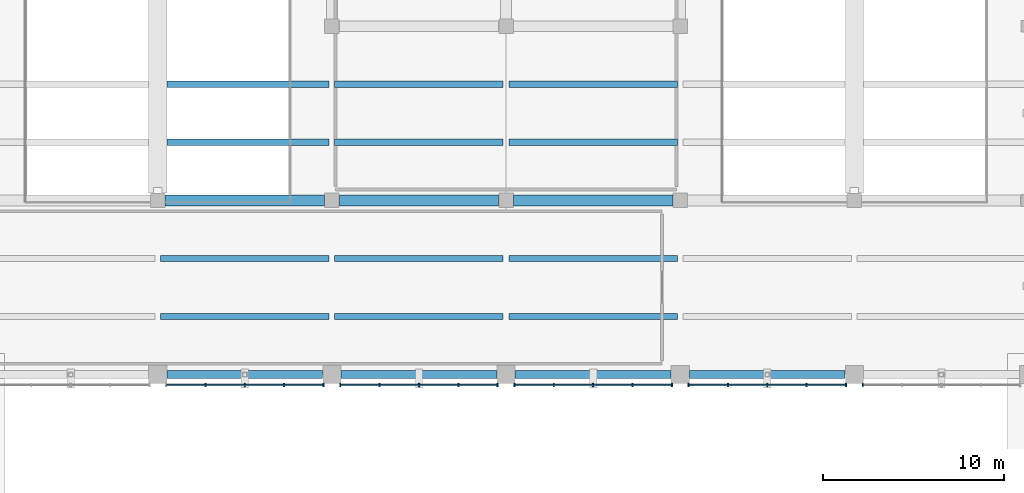
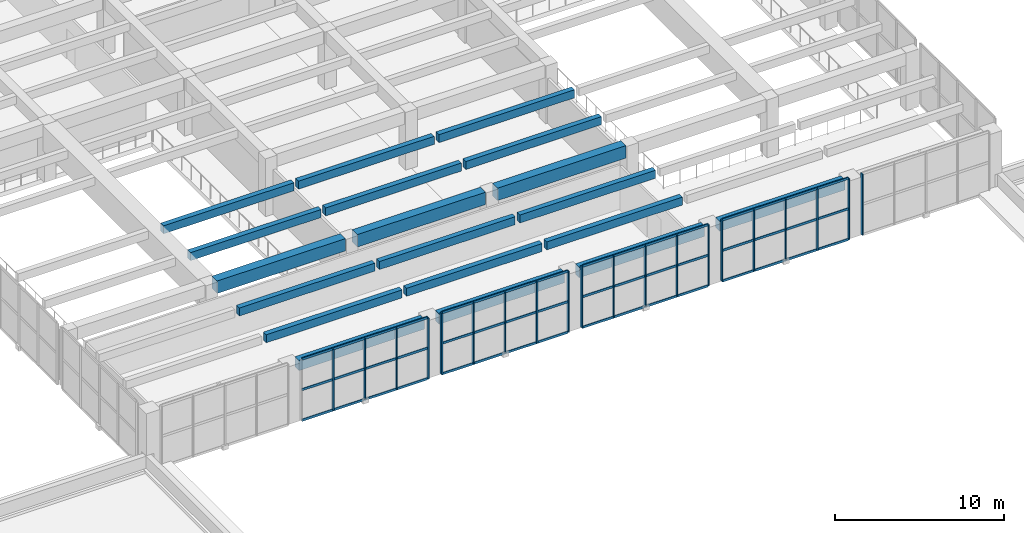
# One storey, part 10 of 49: 32 members, 19 beams, 5 elements without a shape of their own.
"""IFC4 building model written with IfcOpenShell, lengths in metres."""

from ifc_helpers import new_model, si_unit, direction, frame, origin, origin_2d, place, context, subcontext, project, spatial, rectangle, extrude, material, layer, layer_set, material_profile, profile_set, type_object, element, aggregate, save


model = new_model("IFC4")

# Units and contexts
model_context = context("Model", 3, precision=1e-05, world=origin(), true_north=direction((0.0, 1.0)))
body_context = subcontext(model_context, "Body", "Model", "MODEL_VIEW")
ifc_project = project(units=[si_unit("LENGTHUNIT", "METRE"), si_unit("AREAUNIT", "SQUARE_METRE"), si_unit("VOLUMEUNIT", "CUBIC_METRE"), si_unit("PLANEANGLEUNIT", "RADIAN"), si_unit("MASSUNIT", "GRAM", prefix="KILO")], contexts=[model_context])

# Site, building, storey
site_placement = place(None, origin())
site = spatial("IfcSite", under=ifc_project, at=site_placement, CompositionType="ELEMENT")
building_placement = place(site_placement, origin())
building = spatial("IfcBuilding", under=site, at=building_placement, Name="Bempovik Park Faculty of Sciences", CompositionType="ELEMENT")
storey_placement = place(building_placement, frame((0.0, 0.0, 5.39990234375)))
storey = spatial("IfcBuildingStorey", under=building, at=storey_placement, Name="L01", CompositionType="ELEMENT", Elevation=5.39990234375)

# Beams
ifc_material_1 = material(Name="Concrete C35/45", Category="concrete")
ifc_material_profile_1 = material_profile(ifc_material_1, rectangle(XDim=0.35009765625, YDim=0.580078125, at=origin_2d()), Name="RC 350x580")
ifc_profile_set_1 = profile_set([ifc_material_profile_1], Name="Concrete C35/45")
beam_type_1 = type_object("IfcBeamType", Name="B-107 RC 350x580", PredefinedType="JOIST", material=ifc_profile_set_1)
for number, where, z_axis, x_axis, name in (
    (1, (69.756103515625, 23.0, 3.89013671875), (1.0, 0.0, 0.0), (0.0, 1.0, 0.0), "L01 Secondary Joist (69.6-79.2, y=23.00)"),
    (2, (69.756103515625, 26.199951171875, 3.89013671875), (1.0, 0.0, 0.0), (0.0, 1.0, 0.0), "L01 Secondary Joist (69.6-79.2, y=26.20)"),
):
    element("IfcBeam", number, at=place(storey_placement, frame(where, z_axis=z_axis, x_axis=x_axis)), inside=storey, type_object=beam_type_1, Name=name, PredefinedType="JOIST", context=body_context, shape_type="SweptSolid", body=[
        extrude(rectangle(XDim=0.35009765625, YDim=0.580078125, at=origin_2d()), origin(), (0.0, 0.0, 1.0), 9.287841796875),
    ])
for number, where, z_axis, x_axis, name in (
    (3, (70.10595703125, 32.60009765625, 3.89013671875), (1.0, 0.0, 0.0), (0.0, 1.0, 0.0), "L01 Secondary Joist (69.6-79.2, y=32.60)"),
    (4, (70.10595703125, 35.800048828125, 3.89013671875), (1.0, 0.0, 0.0), (0.0, 1.0, 0.0), "L01 Secondary Joist (69.6-79.2, y=35.80)"),
):
    element("IfcBeam", number, at=place(storey_placement, frame(where, z_axis=z_axis, x_axis=x_axis)), inside=storey, type_object=beam_type_1, Name=name, PredefinedType="JOIST", context=body_context, shape_type="SweptSolid", body=[
        extrude(rectangle(XDim=0.35009765625, YDim=0.580078125, at=origin_2d()), origin(), (0.0, 0.0, 1.0), 8.93798828125),
    ])
for number, where, z_axis, x_axis, name in (
    (5, (79.35595703125, 23.0, 3.89013671875), (1.0, 0.0, 0.0), (0.0, 1.0, 0.0), "L01 Secondary Joist (79.2-88.8, y=23.00)"),
    (6, (79.35595703125, 26.199951171875, 3.89013671875), (1.0, 0.0, 0.0), (0.0, 1.0, 0.0), "L01 Secondary Joist (79.2-88.8, y=26.20)"),
    (7, (79.35595703125, 32.60009765625, 3.89013671875), (1.0, 0.0, 0.0), (0.0, 1.0, 0.0), "L01 Secondary Joist (79.2-88.8, y=32.60)"),
    (8, (79.35595703125, 35.800048828125, 3.89013671875), (1.0, 0.0, 0.0), (0.0, 1.0, 0.0), "L01 Secondary Joist (79.2-88.8, y=35.80)"),
):
    element("IfcBeam", number, at=place(storey_placement, frame(where, z_axis=z_axis, x_axis=x_axis)), inside=storey, type_object=beam_type_1, Name=name, PredefinedType="JOIST", context=body_context, shape_type="SweptSolid", body=[
        extrude(rectangle(XDim=0.35009765625, YDim=0.580078125, at=origin_2d()), origin(), (0.0, 0.0, 1.0), 9.2880859375),
    ])
for number, where, z_axis, x_axis, name in (
    (9, (88.9560546875, 23.0, 3.89013671875), (1.0, 0.0, 0.0), (0.0, 1.0, 0.0), "L01 Secondary Joist (88.8-98.4, y=23.00)"),
    (10, (88.9560546875, 26.199951171875, 3.89013671875), (1.0, 0.0, 0.0), (0.0, 1.0, 0.0), "L01 Secondary Joist (88.8-98.4, y=26.20)"),
    (11, (88.9560546875, 32.60009765625, 3.89013671875), (1.0, 0.0, 0.0), (0.0, 1.0, 0.0), "L01 Secondary Joist (88.8-98.4, y=32.60)"),
    (12, (88.9560546875, 35.800048828125, 3.89013671875), (1.0, 0.0, 0.0), (0.0, 1.0, 0.0), "L01 Secondary Joist (88.8-98.4, y=35.80)"),
):
    element("IfcBeam", number, at=place(storey_placement, frame(where, z_axis=z_axis, x_axis=x_axis)), inside=storey, type_object=beam_type_1, Name=name, PredefinedType="JOIST", context=body_context, shape_type="SweptSolid", body=[
        extrude(rectangle(XDim=0.35009765625, YDim=0.580078125, at=origin_2d()), origin(), (0.0, 0.0, 1.0), 9.287841796875),
    ])
ifc_material_2 = material(Name="Concrete C40/50", Category="concrete")
ifc_material_profile_2 = material_profile(ifc_material_2, rectangle(XDim=0.60009765625, YDim=0.89990234375, at=origin_2d()), Name="RC 600x900")
ifc_profile_set_2 = profile_set([ifc_material_profile_2], Name="Concrete C40/50")
beam_type_2 = type_object("IfcBeamType", Name="B-115 RC 600x900", PredefinedType="BEAM", material=ifc_profile_set_2)
beam_1_placement = place(storey_placement, frame((70.006103515625, 29.39990234375, 3.72998046875), z_axis=(1.0, 0.0, 0.0), x_axis=(0.0, 1.0, 0.0)))
element("IfcBeam", 13, at=beam_1_placement, inside=storey, type_object=beam_type_2, Name="L01 Beam X (69.6-79.2, y=29.4)", PredefinedType="BEAM", context=body_context, shape_type="SweptSolid", body=[
    extrude(rectangle(XDim=0.60009765625, YDim=0.89990234375, at=origin_2d()), origin(), (0.0, 0.0, 1.0), 8.787841796875),
])
beam_2_placement = place(storey_placement, frame((79.60595703125, 29.39990234375, 3.72998046875), z_axis=(1.0, 0.0, 0.0), x_axis=(0.0, 1.0, 0.0)))
element("IfcBeam", 14, at=beam_2_placement, inside=storey, type_object=beam_type_2, Name="L01 Beam X (79.2-88.8, y=29.4)", PredefinedType="BEAM", context=body_context, shape_type="SweptSolid", body=[
    extrude(rectangle(XDim=0.60009765625, YDim=0.89990234375, at=origin_2d()), origin(), (0.0, 0.0, 1.0), 8.7880859375),
])
beam_3_placement = place(storey_placement, frame((89.2060546875, 29.39990234375, 3.72998046875), z_axis=(1.0, 0.0, 0.0), x_axis=(0.0, 1.0, 0.0)))
element("IfcBeam", 15, at=beam_3_placement, inside=storey, type_object=beam_type_2, Name="L01 Beam X (88.8-98.4, y=29.4)", PredefinedType="BEAM", context=body_context, shape_type="SweptSolid", body=[
    extrude(rectangle(XDim=0.60009765625, YDim=0.89990234375, at=origin_2d()), origin(), (0.0, 0.0, 1.0), 8.787841796875),
])
ifc_material_profile_3 = material_profile(ifc_material_2, rectangle(XDim=0.449951171875, YDim=0.75, at=origin_2d()), Name="RC 450x750")
ifc_profile_set_3 = profile_set([ifc_material_profile_3], Name="Concrete C40/50")
beam_type_3 = type_object("IfcBeamType", Name="B-130 RC 450x750", PredefinedType="SPANDREL", material=ifc_profile_set_3)
beam_4_placement = place(storey_placement, frame((70.10595703125, 19.800048828125, 3.80517578125), z_axis=(1.0, 0.0, 0.0), x_axis=(0.0, 1.0, 0.0)))
element("IfcBeam", 16, at=beam_4_placement, inside=storey, type_object=beam_type_3, Name="L01 Beam X (69.6-79.2, y=19.8)", PredefinedType="SPANDREL", context=body_context, shape_type="SweptSolid", body=[
    extrude(rectangle(XDim=0.449951171875, YDim=0.75, at=origin_2d()), origin(), (0.0, 0.0, 1.0), 8.588134765625),
])
beam_5_placement = place(storey_placement, frame((79.7060546875, 19.800048828125, 3.80517578125), z_axis=(1.0, 0.0, 0.0), x_axis=(0.0, 1.0, 0.0)))
element("IfcBeam", 17, at=beam_5_placement, inside=storey, type_object=beam_type_3, Name="L01 Beam X (79.2-88.8, y=19.8)", PredefinedType="SPANDREL", context=body_context, shape_type="SweptSolid", body=[
    extrude(rectangle(XDim=0.449951171875, YDim=0.75, at=origin_2d()), origin(), (0.0, 0.0, 1.0), 8.587890625),
])
beam_6_placement = place(storey_placement, frame((89.305908203125, 19.800048828125, 3.80517578125), z_axis=(1.0, 0.0, 0.0), x_axis=(0.0, 1.0, 0.0)))
element("IfcBeam", 18, at=beam_6_placement, inside=storey, type_object=beam_type_3, Name="L01 Beam X (88.8-98.4, y=19.8)", PredefinedType="SPANDREL", context=body_context, shape_type="SweptSolid", body=[
    extrude(rectangle(XDim=0.449951171875, YDim=0.75, at=origin_2d()), origin(), (0.0, 0.0, 1.0), 8.588134765625),
])
beam_7_placement = place(storey_placement, frame((98.906005859375, 19.800048828125, 3.80517578125), z_axis=(1.0, 0.0, 0.0), x_axis=(0.0, 1.0, 0.0)))
element("IfcBeam", 19, at=beam_7_placement, inside=storey, type_object=beam_type_3, Name="L01 Beam X (98.4-108.0, y=19.8)", PredefinedType="SPANDREL", context=body_context, shape_type="SweptSolid", body=[
    extrude(rectangle(XDim=0.449951171875, YDim=0.75, at=origin_2d()), origin(), (0.0, 0.0, 1.0), 8.587890625),
])

# Curtain wall, members
ifc_material_3 = material(Name="Tempered laminated low-E glass", Category="glass")
ifc_layer = layer(ifc_material_3, 0.159912109375)
ifc_layer_set = layer_set([ifc_layer], Name="Tempered laminated low-E glass")
curtain_wall_type = type_object("IfcCurtainWallType", Name="CW-48 Curtain 7200x4200", PredefinedType="USERDEFINED", material=ifc_layer_set)
curtain_wall_1_placement = place(storey_placement, origin())
curtain_wall_1 = element("IfcCurtainWall", 20, at=curtain_wall_1_placement, inside=storey, type_object=curtain_wall_type, Name="L01 Recessed Entrance Foyer Curtain Wall (69.6-79.2)", ObjectType="UNITISED CURTAIN WALL", PredefinedType="USERDEFINED")
ifc_material_4 = material(Name="Anodised architectural bronze", Category="aluminium")
ifc_material_profile_4 = material_profile(ifc_material_4, rectangle(XDim=0.074951171875, YDim=0.199951171875, at=origin_2d()), Name="ALU-M 75x200")
ifc_profile_set_4 = profile_set([ifc_material_profile_4], Name="Anodised architectural bronze")
member_type_1 = type_object("IfcMemberType", Name="ML-17 ALU-M 75x200", PredefinedType="MULLION", material=ifc_profile_set_4)
member_1_placement = place(storey_placement, frame((72.23095703125, 19.219970703125, 0.080078125), z_axis=(0.0, 0.0, 1.0), x_axis=(1.0, 0.0, 0.0)))
member_1 = element("IfcMember", 21, at=member_1_placement, type_object=member_type_1, Name="CW-FOY-L01-198-696 Mullion 1", PredefinedType="MULLION", context=body_context, shape_type="SweptSolid", body=[
    extrude(rectangle(XDim=0.074951171875, YDim=0.199951171875, at=origin_2d()), origin(), (0.0, 0.0, 1.0), 4.419921875),
])
member_2_placement = place(storey_placement, frame((74.39990234375, 19.219970703125, 0.080078125), z_axis=(0.0, 0.0, 1.0), x_axis=(1.0, 0.0, 0.0)))
member_2 = element("IfcMember", 22, at=member_2_placement, type_object=member_type_1, Name="CW-FOY-L01-198-696 Mullion 2", PredefinedType="MULLION", context=body_context, shape_type="SweptSolid", body=[
    extrude(rectangle(XDim=0.074951171875, YDim=0.199951171875, at=origin_2d()), origin(), (0.0, 0.0, 1.0), 4.419921875),
])
member_3_placement = place(storey_placement, frame((76.569091796875, 19.219970703125, 0.080078125), z_axis=(0.0, 0.0, 1.0), x_axis=(1.0, 0.0, 0.0)))
member_3 = element("IfcMember", 23, at=member_3_placement, type_object=member_type_1, Name="CW-FOY-L01-198-696 Mullion 3", PredefinedType="MULLION", context=body_context, shape_type="SweptSolid", body=[
    extrude(rectangle(XDim=0.074951171875, YDim=0.199951171875, at=origin_2d()), origin(), (0.0, 0.0, 1.0), 4.419921875),
])
member_4_placement = place(storey_placement, frame((78.738037109375, 19.219970703125, 0.080078125), z_axis=(0.0, 0.0, 1.0), x_axis=(1.0, 0.0, 0.0)))
member_4 = element("IfcMember", 24, at=member_4_placement, type_object=member_type_1, Name="CW-FOY-L01-198-696 Mullion 4", PredefinedType="MULLION", context=body_context, shape_type="SweptSolid", body=[
    extrude(rectangle(XDim=0.074951171875, YDim=0.199951171875, at=origin_2d()), origin(), (0.0, 0.0, 1.0), 4.419921875),
])

curtain_wall_2_placement = place(storey_placement, origin())
curtain_wall_2 = element("IfcCurtainWall", 25, at=curtain_wall_2_placement, inside=storey, type_object=curtain_wall_type, Name="L01 Recessed Entrance Foyer Curtain Wall (79.2-88.8)", ObjectType="UNITISED CURTAIN WALL", PredefinedType="USERDEFINED")
member_5_placement = place(storey_placement, frame((79.662109375, 19.219970703125, 0.080078125), z_axis=(0.0, 0.0, 1.0), x_axis=(1.0, 0.0, 0.0)))
member_5 = element("IfcMember", 26, at=member_5_placement, type_object=member_type_1, Name="CW-FOY-L01-198-792 Mullion 0", PredefinedType="MULLION", context=body_context, shape_type="SweptSolid", body=[
    extrude(rectangle(XDim=0.074951171875, YDim=0.199951171875, at=origin_2d()), origin(), (0.0, 0.0, 1.0), 4.419921875),
])
member_6_placement = place(storey_placement, frame((81.8310546875, 19.219970703125, 0.080078125), z_axis=(0.0, 0.0, 1.0), x_axis=(1.0, 0.0, 0.0)))
member_6 = element("IfcMember", 27, at=member_6_placement, type_object=member_type_1, Name="CW-FOY-L01-198-792 Mullion 1", PredefinedType="MULLION", context=body_context, shape_type="SweptSolid", body=[
    extrude(rectangle(XDim=0.074951171875, YDim=0.199951171875, at=origin_2d()), origin(), (0.0, 0.0, 1.0), 4.419921875),
])
member_7_placement = place(storey_placement, frame((84.0, 19.219970703125, 0.080078125), z_axis=(0.0, 0.0, 1.0), x_axis=(1.0, 0.0, 0.0)))
member_7 = element("IfcMember", 28, at=member_7_placement, type_object=member_type_1, Name="CW-FOY-L01-198-792 Mullion 2", PredefinedType="MULLION", context=body_context, shape_type="SweptSolid", body=[
    extrude(rectangle(XDim=0.074951171875, YDim=0.199951171875, at=origin_2d()), origin(), (0.0, 0.0, 1.0), 4.419921875),
])
member_8_placement = place(storey_placement, frame((86.1689453125, 19.219970703125, 0.080078125), z_axis=(0.0, 0.0, 1.0), x_axis=(1.0, 0.0, 0.0)))
member_8 = element("IfcMember", 29, at=member_8_placement, type_object=member_type_1, Name="CW-FOY-L01-198-792 Mullion 3", PredefinedType="MULLION", context=body_context, shape_type="SweptSolid", body=[
    extrude(rectangle(XDim=0.074951171875, YDim=0.199951171875, at=origin_2d()), origin(), (0.0, 0.0, 1.0), 4.419921875),
])
member_9_placement = place(storey_placement, frame((88.337890625, 19.219970703125, 0.080078125), z_axis=(0.0, 0.0, 1.0), x_axis=(1.0, 0.0, 0.0)))
member_9 = element("IfcMember", 30, at=member_9_placement, type_object=member_type_1, Name="CW-FOY-L01-198-792 Mullion 4", PredefinedType="MULLION", context=body_context, shape_type="SweptSolid", body=[
    extrude(rectangle(XDim=0.074951171875, YDim=0.199951171875, at=origin_2d()), origin(), (0.0, 0.0, 1.0), 4.419921875),
])

curtain_wall_3_placement = place(storey_placement, origin())
curtain_wall_3 = element("IfcCurtainWall", 31, at=curtain_wall_3_placement, inside=storey, type_object=curtain_wall_type, Name="L01 Recessed Entrance Foyer Curtain Wall (88.8-98.4)", ObjectType="UNITISED CURTAIN WALL", PredefinedType="USERDEFINED")
member_10_placement = place(storey_placement, frame((89.261962890625, 19.219970703125, 0.080078125), z_axis=(0.0, 0.0, 1.0), x_axis=(1.0, 0.0, 0.0)))
member_10 = element("IfcMember", 32, at=member_10_placement, type_object=member_type_1, Name="CW-FOY-L01-198-888 Mullion 0", PredefinedType="MULLION", context=body_context, shape_type="SweptSolid", body=[
    extrude(rectangle(XDim=0.074951171875, YDim=0.199951171875, at=origin_2d()), origin(), (0.0, 0.0, 1.0), 4.419921875),
])
member_11_placement = place(storey_placement, frame((91.430908203125, 19.219970703125, 0.080078125), z_axis=(0.0, 0.0, 1.0), x_axis=(1.0, 0.0, 0.0)))
member_11 = element("IfcMember", 33, at=member_11_placement, type_object=member_type_1, Name="CW-FOY-L01-198-888 Mullion 1", PredefinedType="MULLION", context=body_context, shape_type="SweptSolid", body=[
    extrude(rectangle(XDim=0.074951171875, YDim=0.199951171875, at=origin_2d()), origin(), (0.0, 0.0, 1.0), 4.419921875),
])
member_12_placement = place(storey_placement, frame((93.60009765625, 19.219970703125, 0.080078125), z_axis=(0.0, 0.0, 1.0), x_axis=(1.0, 0.0, 0.0)))
member_12 = element("IfcMember", 34, at=member_12_placement, type_object=member_type_1, Name="CW-FOY-L01-198-888 Mullion 2", PredefinedType="MULLION", context=body_context, shape_type="SweptSolid", body=[
    extrude(rectangle(XDim=0.074951171875, YDim=0.199951171875, at=origin_2d()), origin(), (0.0, 0.0, 1.0), 4.419921875),
])
member_13_placement = place(storey_placement, frame((95.76904296875, 19.219970703125, 0.080078125), z_axis=(0.0, 0.0, 1.0), x_axis=(1.0, 0.0, 0.0)))
member_13 = element("IfcMember", 35, at=member_13_placement, type_object=member_type_1, Name="CW-FOY-L01-198-888 Mullion 3", PredefinedType="MULLION", context=body_context, shape_type="SweptSolid", body=[
    extrude(rectangle(XDim=0.074951171875, YDim=0.199951171875, at=origin_2d()), origin(), (0.0, 0.0, 1.0), 4.419921875),
])
member_14_placement = place(storey_placement, frame((97.93798828125, 19.219970703125, 0.080078125), z_axis=(0.0, 0.0, 1.0), x_axis=(1.0, 0.0, 0.0)))
member_14 = element("IfcMember", 36, at=member_14_placement, type_object=member_type_1, Name="CW-FOY-L01-198-888 Mullion 4", PredefinedType="MULLION", context=body_context, shape_type="SweptSolid", body=[
    extrude(rectangle(XDim=0.074951171875, YDim=0.199951171875, at=origin_2d()), origin(), (0.0, 0.0, 1.0), 4.419921875),
])

curtain_wall_4_placement = place(storey_placement, origin())
curtain_wall_4 = element("IfcCurtainWall", 37, at=curtain_wall_4_placement, inside=storey, type_object=curtain_wall_type, Name="L01 Recessed Entrance Foyer Curtain Wall (98.4-108.0)", ObjectType="UNITISED CURTAIN WALL", PredefinedType="USERDEFINED")
member_15_placement = place(storey_placement, frame((98.862060546875, 19.219970703125, 0.080078125), z_axis=(0.0, 0.0, 1.0), x_axis=(1.0, 0.0, 0.0)))
member_15 = element("IfcMember", 38, at=member_15_placement, type_object=member_type_1, Name="CW-FOY-L01-198-984 Mullion 0", PredefinedType="MULLION", context=body_context, shape_type="SweptSolid", body=[
    extrude(rectangle(XDim=0.074951171875, YDim=0.199951171875, at=origin_2d()), origin(), (0.0, 0.0, 1.0), 4.419921875),
])
member_16_placement = place(storey_placement, frame((101.031005859375, 19.219970703125, 0.080078125), z_axis=(0.0, 0.0, 1.0), x_axis=(1.0, 0.0, 0.0)))
member_16 = element("IfcMember", 39, at=member_16_placement, type_object=member_type_1, Name="CW-FOY-L01-198-984 Mullion 1", PredefinedType="MULLION", context=body_context, shape_type="SweptSolid", body=[
    extrude(rectangle(XDim=0.074951171875, YDim=0.199951171875, at=origin_2d()), origin(), (0.0, 0.0, 1.0), 4.419921875),
])
member_17_placement = place(storey_placement, frame((103.199951171875, 19.219970703125, 0.080078125), z_axis=(0.0, 0.0, 1.0), x_axis=(1.0, 0.0, 0.0)))
member_17 = element("IfcMember", 40, at=member_17_placement, type_object=member_type_1, Name="CW-FOY-L01-198-984 Mullion 2", PredefinedType="MULLION", context=body_context, shape_type="SweptSolid", body=[
    extrude(rectangle(XDim=0.074951171875, YDim=0.199951171875, at=origin_2d()), origin(), (0.0, 0.0, 1.0), 4.419921875),
])
member_18_placement = place(storey_placement, frame((105.368896484375, 19.219970703125, 0.080078125), z_axis=(0.0, 0.0, 1.0), x_axis=(1.0, 0.0, 0.0)))
member_18 = element("IfcMember", 41, at=member_18_placement, type_object=member_type_1, Name="CW-FOY-L01-198-984 Mullion 3", PredefinedType="MULLION", context=body_context, shape_type="SweptSolid", body=[
    extrude(rectangle(XDim=0.074951171875, YDim=0.199951171875, at=origin_2d()), origin(), (0.0, 0.0, 1.0), 4.419921875),
])
member_19_placement = place(storey_placement, frame((107.5380859375, 19.219970703125, 0.080078125), z_axis=(0.0, 0.0, 1.0), x_axis=(1.0, 0.0, 0.0)))
member_19 = element("IfcMember", 42, at=member_19_placement, type_object=member_type_1, Name="CW-FOY-L01-198-984 Mullion 4", PredefinedType="MULLION", context=body_context, shape_type="SweptSolid", body=[
    extrude(rectangle(XDim=0.074951171875, YDim=0.199951171875, at=origin_2d()), origin(), (0.0, 0.0, 1.0), 4.419921875),
])

# Curtain wall, member
curtain_wall_5_placement = place(storey_placement, origin())
curtain_wall_5 = element("IfcCurtainWall", 43, at=curtain_wall_5_placement, inside=storey, type_object=curtain_wall_type, Name="L01 Recessed Entrance Foyer Curtain Wall (108.0-117.6)", ObjectType="UNITISED CURTAIN WALL", PredefinedType="USERDEFINED")
member_20_placement = place(storey_placement, frame((108.4619140625, 19.219970703125, 0.080078125), z_axis=(0.0, 0.0, 1.0), x_axis=(1.0, 0.0, 0.0)))
member_20 = element("IfcMember", 44, at=member_20_placement, type_object=member_type_1, Name="CW-FOY-L01-198-1080 Mullion 0", PredefinedType="MULLION", context=body_context, shape_type="SweptSolid", body=[
    extrude(rectangle(XDim=0.074951171875, YDim=0.199951171875, at=origin_2d()), origin(), (0.0, 0.0, 1.0), 4.419921875),
])
aggregate(curtain_wall_5, [member_20])

# Member
ifc_material_profile_5 = material_profile(ifc_material_4, rectangle(XDim=0.074951171875, YDim=0.1650390625, at=origin_2d()), Name="ALU-T 75x165")
ifc_profile_set_5 = profile_set([ifc_material_profile_5], Name="Anodised architectural bronze")
member_type_2 = type_object("IfcMemberType", Name="TR-15 ALU-T 75x165", PredefinedType="USERDEFINED", material=ifc_profile_set_5)
member_21_placement = place(storey_placement, frame((70.10205078125, 19.219970703125, 0.080078125), z_axis=(1.0, 0.0, 0.0), x_axis=(0.0, 1.0, 0.0)))
member_21 = element("IfcMember", 45, at=member_21_placement, type_object=member_type_2, Name="CW-FOY-L01-198-696 Transom 0", ObjectType="TRANSOM", PredefinedType="USERDEFINED", context=body_context, shape_type="SweptSolid", body=[
    extrude(rectangle(XDim=0.074951171875, YDim=0.1650390625, at=origin_2d()), origin(), (0.0, 0.0, 1.0), 8.595947265625),
])

member_22_placement = place(storey_placement, frame((70.10205078125, 19.219970703125, 2.2900390625), z_axis=(1.0, 0.0, 0.0), x_axis=(0.0, 1.0, 0.0)))
member_22 = element("IfcMember", 46, at=member_22_placement, type_object=member_type_2, Name="CW-FOY-L01-198-696 Transom 1", ObjectType="TRANSOM", PredefinedType="USERDEFINED", context=body_context, shape_type="SweptSolid", body=[
    extrude(rectangle(XDim=0.074951171875, YDim=0.1650390625, at=origin_2d()), origin(), (0.0, 0.0, 1.0), 8.595947265625),
])

member_23_placement = place(storey_placement, frame((70.10205078125, 19.219970703125, 4.5), z_axis=(1.0, 0.0, 0.0), x_axis=(0.0, 1.0, 0.0)))
member_23 = element("IfcMember", 47, at=member_23_placement, type_object=member_type_2, Name="CW-FOY-L01-198-696 Transom 2", ObjectType="TRANSOM", PredefinedType="USERDEFINED", context=body_context, shape_type="SweptSolid", body=[
    extrude(rectangle(XDim=0.074951171875, YDim=0.1650390625, at=origin_2d()), origin(), (0.0, 0.0, 1.0), 8.595947265625),
])

aggregate(curtain_wall_1, [member_1, member_2, member_3, member_4, member_21, member_22, member_23])

member_24_placement = place(storey_placement, frame((79.701904296875, 19.219970703125, 0.080078125), z_axis=(1.0, 0.0, 0.0), x_axis=(0.0, 1.0, 0.0)))
member_24 = element("IfcMember", 48, at=member_24_placement, type_object=member_type_2, Name="CW-FOY-L01-198-792 Transom 0", ObjectType="TRANSOM", PredefinedType="USERDEFINED", context=body_context, shape_type="SweptSolid", body=[
    extrude(rectangle(XDim=0.074951171875, YDim=0.1650390625, at=origin_2d()), origin(), (0.0, 0.0, 1.0), 8.59619140625),
])

member_25_placement = place(storey_placement, frame((79.701904296875, 19.219970703125, 2.2900390625), z_axis=(1.0, 0.0, 0.0), x_axis=(0.0, 1.0, 0.0)))
member_25 = element("IfcMember", 49, at=member_25_placement, type_object=member_type_2, Name="CW-FOY-L01-198-792 Transom 1", ObjectType="TRANSOM", PredefinedType="USERDEFINED", context=body_context, shape_type="SweptSolid", body=[
    extrude(rectangle(XDim=0.074951171875, YDim=0.1650390625, at=origin_2d()), origin(), (0.0, 0.0, 1.0), 8.59619140625),
])

member_26_placement = place(storey_placement, frame((79.701904296875, 19.219970703125, 4.5), z_axis=(1.0, 0.0, 0.0), x_axis=(0.0, 1.0, 0.0)))
member_26 = element("IfcMember", 50, at=member_26_placement, type_object=member_type_2, Name="CW-FOY-L01-198-792 Transom 2", ObjectType="TRANSOM", PredefinedType="USERDEFINED", context=body_context, shape_type="SweptSolid", body=[
    extrude(rectangle(XDim=0.074951171875, YDim=0.1650390625, at=origin_2d()), origin(), (0.0, 0.0, 1.0), 8.59619140625),
])

aggregate(curtain_wall_2, [member_5, member_6, member_7, member_8, member_9, member_24, member_25, member_26])

member_27_placement = place(storey_placement, frame((89.302001953125, 19.219970703125, 0.080078125), z_axis=(1.0, 0.0, 0.0), x_axis=(0.0, 1.0, 0.0)))
member_27 = element("IfcMember", 51, at=member_27_placement, type_object=member_type_2, Name="CW-FOY-L01-198-888 Transom 0", ObjectType="TRANSOM", PredefinedType="USERDEFINED", context=body_context, shape_type="SweptSolid", body=[
    extrude(rectangle(XDim=0.074951171875, YDim=0.1650390625, at=origin_2d()), origin(), (0.0, 0.0, 1.0), 8.595947265625),
])

member_28_placement = place(storey_placement, frame((89.302001953125, 19.219970703125, 2.2900390625), z_axis=(1.0, 0.0, 0.0), x_axis=(0.0, 1.0, 0.0)))
member_28 = element("IfcMember", 52, at=member_28_placement, type_object=member_type_2, Name="CW-FOY-L01-198-888 Transom 1", ObjectType="TRANSOM", PredefinedType="USERDEFINED", context=body_context, shape_type="SweptSolid", body=[
    extrude(rectangle(XDim=0.074951171875, YDim=0.1650390625, at=origin_2d()), origin(), (0.0, 0.0, 1.0), 8.595947265625),
])

member_29_placement = place(storey_placement, frame((89.302001953125, 19.219970703125, 4.5), z_axis=(1.0, 0.0, 0.0), x_axis=(0.0, 1.0, 0.0)))
member_29 = element("IfcMember", 53, at=member_29_placement, type_object=member_type_2, Name="CW-FOY-L01-198-888 Transom 2", ObjectType="TRANSOM", PredefinedType="USERDEFINED", context=body_context, shape_type="SweptSolid", body=[
    extrude(rectangle(XDim=0.074951171875, YDim=0.1650390625, at=origin_2d()), origin(), (0.0, 0.0, 1.0), 8.595947265625),
])

aggregate(curtain_wall_3, [member_10, member_11, member_12, member_13, member_14, member_27, member_28, member_29])

member_30_placement = place(storey_placement, frame((98.902099609375, 19.219970703125, 0.080078125), z_axis=(1.0, 0.0, 0.0), x_axis=(0.0, 1.0, 0.0)))
member_30 = element("IfcMember", 54, at=member_30_placement, type_object=member_type_2, Name="CW-FOY-L01-198-984 Transom 0", ObjectType="TRANSOM", PredefinedType="USERDEFINED", context=body_context, shape_type="SweptSolid", body=[
    extrude(rectangle(XDim=0.074951171875, YDim=0.1650390625, at=origin_2d()), origin(), (0.0, 0.0, 1.0), 8.595947265625),
])

member_31_placement = place(storey_placement, frame((98.902099609375, 19.219970703125, 2.2900390625), z_axis=(1.0, 0.0, 0.0), x_axis=(0.0, 1.0, 0.0)))
member_31 = element("IfcMember", 55, at=member_31_placement, type_object=member_type_2, Name="CW-FOY-L01-198-984 Transom 1", ObjectType="TRANSOM", PredefinedType="USERDEFINED", context=body_context, shape_type="SweptSolid", body=[
    extrude(rectangle(XDim=0.074951171875, YDim=0.1650390625, at=origin_2d()), origin(), (0.0, 0.0, 1.0), 8.595947265625),
])

member_32_placement = place(storey_placement, frame((98.902099609375, 19.219970703125, 4.5), z_axis=(1.0, 0.0, 0.0), x_axis=(0.0, 1.0, 0.0)))
member_32 = element("IfcMember", 56, at=member_32_placement, type_object=member_type_2, Name="CW-FOY-L01-198-984 Transom 2", ObjectType="TRANSOM", PredefinedType="USERDEFINED", context=body_context, shape_type="SweptSolid", body=[
    extrude(rectangle(XDim=0.074951171875, YDim=0.1650390625, at=origin_2d()), origin(), (0.0, 0.0, 1.0), 8.595947265625),
])

aggregate(curtain_wall_4, [member_15, member_16, member_17, member_18, member_19, member_30, member_31, member_32])

save(model, "model.ifc")
